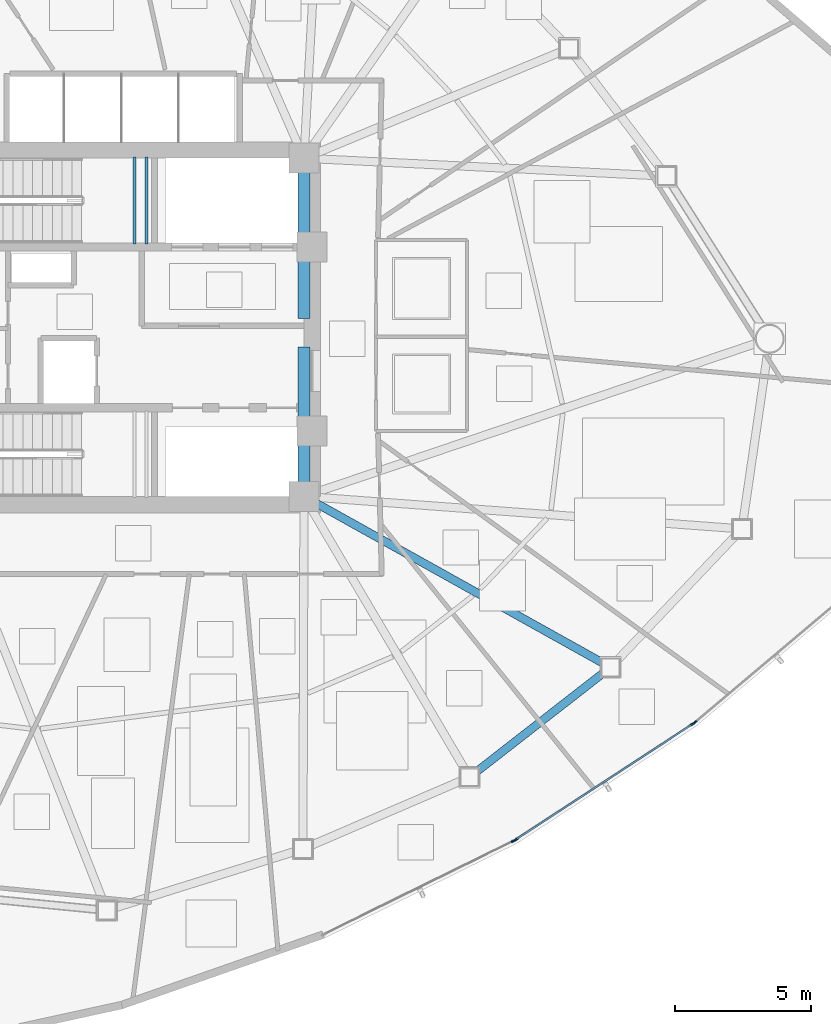
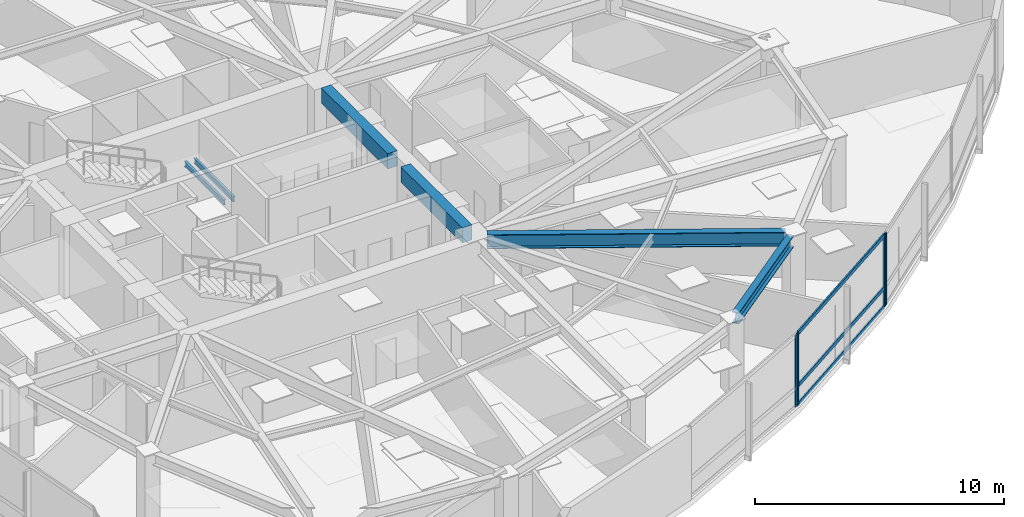
# One storey, part 5 of 18: 7 members, 6 beams, 3 elements without a shape of their own.
"""IFC4 building model written with IfcOpenShell, lengths in metres."""

import ifcopenshell
import ifcopenshell.guid

model = None  # the IFC model being written
_history = None  # IfcOwnerHistory: only IFC2X3 demands one
_inside = {}  # id of a spatial element -> (the spatial element, [elements in it])
_under = {}  # id of a project, library or spatial element -> (it, [spatial elements below it])
_declared = {}  # id of a project -> (the project, [libraries it declares])
_typed = {}  # id of a type object -> (the type object, [elements of that type])
_made_of = {}  # id of a material, layer set ... -> (it, [elements and type objects made of it])


def new_model(schema):
    """Start an empty IFC model of exactly this schema.

    Asked for "IFC4X3", IfcOpenShell would pick the latest addendum, in which some entities
    have other attributes; the version numbers below select the first issue.
    IFC2X3 requires an IfcOwnerHistory on every rooted entity: one is made here for all.
    """
    global model, _history
    if schema == "IFC4X3":
        model = ifcopenshell.file(schema_version=(4, 3, 0, 0))
    else:
        model = ifcopenshell.file(schema=schema)
    _inside.clear()
    _under.clear()
    _declared.clear()
    _typed.clear()
    _made_of.clear()
    _history = None
    if model.schema == "IFC2X3":
        org = make("IfcOrganization", Name="unknown")
        user = make(
            "IfcPersonAndOrganization",
            ThePerson=make("IfcPerson", FamilyName="unknown"),
            TheOrganization=org,
        )
        app = make(
            "IfcApplication",
            ApplicationDeveloper=org,
            Version="unknown",
            ApplicationFullName="unknown",
            ApplicationIdentifier="unknown",
        )
        _history = make(
            "IfcOwnerHistory",
            OwningUser=user,
            OwningApplication=app,
            ChangeAction="ADDED",
            CreationDate=0,
        )
    return model


def make(cls, **values):
    """One entity of the class cls with the attributes given. An attribute that is None is left unset."""
    return model.create_entity(
        cls, **{name: value for name, value in values.items() if value is not None}
    )


def rooted(cls, **values):
    """An entity with a GlobalId (a new one), such as an element, a storey or a relation."""
    return make(cls, GlobalId=ifcopenshell.guid.new(), OwnerHistory=_history, **values)


def si_unit(unit_type, name, prefix=None):
    """IfcSIUnit, for example si_unit("LENGTHUNIT", "METRE", prefix="MILLI")."""
    return make("IfcSIUnit", UnitType=unit_type, Prefix=prefix, Name=name)


def assignment(units):
    """IfcUnitAssignment: the units of a project."""
    return None if units is None else make("IfcUnitAssignment", Units=units)


def point(xyz):
    """IfcCartesianPoint."""
    return None if xyz is None else make("IfcCartesianPoint", Coordinates=xyz)


def direction(xyz):
    """IfcDirection."""
    return None if xyz is None else make("IfcDirection", DirectionRatios=xyz)


def frame(location, z_axis=None, x_axis=None):
    """IfcAxis2Placement3D, a coordinate frame: its origin and axes. An axis left out is left unset."""
    return make(
        "IfcAxis2Placement3D",
        Location=point(location),
        Axis=direction(z_axis),
        RefDirection=direction(x_axis),
    )


def frame_2d(location, x_axis=None):
    """IfcAxis2Placement2D, a coordinate frame in the plane: its origin and x axis."""
    return make(
        "IfcAxis2Placement2D", Location=point(location), RefDirection=direction(x_axis)
    )


def origin():
    """The frame at (0, 0, 0) with its axes left unset."""
    return frame((0.0, 0.0, 0.0))


def origin_2d():
    """The frame at (0, 0) in the plane with its x axis left unset."""
    return frame_2d((0.0, 0.0))


def place(relative_to, where):
    """IfcLocalPlacement: puts the frame where relative to a parent placement (None: the world)."""
    return make(
        "IfcLocalPlacement", PlacementRelTo=relative_to, RelativePlacement=where
    )


def context(
    kind, dimensions, precision=None, world=None, true_north=None, identifier=None
):
    """IfcGeometricRepresentationContext, for example the 3D "Model" context."""
    return make(
        "IfcGeometricRepresentationContext",
        ContextIdentifier=identifier,
        ContextType=kind,
        CoordinateSpaceDimension=dimensions,
        Precision=precision,
        WorldCoordinateSystem=world,
        TrueNorth=true_north,
    )


def subcontext(parent, identifier, kind, view, scale=None):
    """IfcGeometricRepresentationSubContext, for example "Body" below "Model"."""
    return make(
        "IfcGeometricRepresentationSubContext",
        ContextIdentifier=identifier,
        ContextType=kind,
        ParentContext=parent,
        TargetScale=scale,
        TargetView=view,
    )


def project(units=None, contexts=None):
    """IfcProject with its units and contexts."""
    return rooted(
        "IfcProject",
        Name="project",
        RepresentationContexts=contexts,
        UnitsInContext=assignment(units),
    )


def spatial(cls, under=None, at=None, **own):
    """A site, building, storey or space (cls), placed at a placement, below another one or the project."""
    s = rooted(cls, ObjectPlacement=at, **own)
    if under is not None:
        _under.setdefault(under.id(), (under, []))[1].append(s)
    return s


def profile(cls, at=None, kind="AREA", **sizes):
    """A parametric profile (cls). Its sizes go by their IFC names, for example OverallWidth=200.0."""
    return make(cls, ProfileType=kind, Position=at, **sizes)


def rectangle(**sizes):
    """IfcRectangleProfileDef."""
    return profile("IfcRectangleProfileDef", **sizes)


def hollow_rectangle(**sizes):
    """IfcRectangleHollowProfileDef."""
    return profile("IfcRectangleHollowProfileDef", **sizes)


def i_section(**sizes):
    """IfcIShapeProfileDef."""
    return profile("IfcIShapeProfileDef", **sizes)


def extrude(swept, where, along, depth):
    """IfcExtrudedAreaSolid: the profile swept, set in the frame where, extruded along a direction by depth."""
    return make(
        "IfcExtrudedAreaSolid",
        SweptArea=swept,
        Position=where,
        ExtrudedDirection=direction(along),
        Depth=depth,
    )


def shape(context_of_items, identifier, shape_type, items):
    """IfcShapeRepresentation: the items that make up one representation, for example the "Body"."""
    return make(
        "IfcShapeRepresentation",
        ContextOfItems=context_of_items,
        RepresentationIdentifier=identifier,
        RepresentationType=shape_type,
        Items=items,
    )


def source(mapping_origin, context_of_items, identifier, shape_type, items):
    """IfcRepresentationMap: a shape defined once, which mapped items show again and again."""
    return make(
        "IfcRepresentationMap",
        MappingOrigin=mapping_origin,
        MappedRepresentation=shape(context_of_items, identifier, shape_type, items),
    )


def transform(
    local_origin,
    x_axis=None,
    y_axis=None,
    z_axis=None,
    scale=None,
    scale2=None,
    scale3=None,
    uniform=True,
):
    """IfcCartesianTransformationOperator3D, or its non-uniform kind. x_axis, y_axis, z_axis: its Axis1, 2, 3."""
    if uniform:
        return make(
            "IfcCartesianTransformationOperator3D",
            Axis1=direction(x_axis),
            Axis2=direction(y_axis),
            LocalOrigin=point(local_origin),
            Scale=scale,
            Axis3=direction(z_axis),
        )
    return make(
        "IfcCartesianTransformationOperator3DnonUniform",
        Axis1=direction(x_axis),
        Axis2=direction(y_axis),
        LocalOrigin=point(local_origin),
        Scale=scale,
        Axis3=direction(z_axis),
        Scale2=scale2,
        Scale3=scale3,
    )


def mapped(mapping_source, mapping_target):
    """IfcMappedItem: shows the shape of a source again, moved by a transform."""
    return make(
        "IfcMappedItem", MappingSource=mapping_source, MappingTarget=mapping_target
    )


def material(Name=None, Category=None):
    """IfcMaterial."""
    return make("IfcMaterial", Name=Name, Category=Category)


def layer(
    of_material, thickness, ventilated=None, Name=None, Category=None, Priority=None
):
    """IfcMaterialLayer: one layer of a wall or slab, of a material (None: an air gap)."""
    return make(
        "IfcMaterialLayer",
        Material=of_material,
        LayerThickness=thickness,
        IsVentilated=ventilated,
        Name=Name,
        Category=Category,
        Priority=Priority,
    )


def layer_set(layers, Name=None):
    """IfcMaterialLayerSet."""
    return make("IfcMaterialLayerSet", MaterialLayers=layers, LayerSetName=Name)


def material_profile(
    of_material, cross_section, Name=None, Category=None, Priority=None
):
    """IfcMaterialProfile: a cross section and its material."""
    return make(
        "IfcMaterialProfile",
        Name=Name,
        Material=of_material,
        Profile=cross_section,
        Priority=Priority,
        Category=Category,
    )


def profile_set(profiles, Name=None, composite=None):
    """IfcMaterialProfileSet."""
    return make(
        "IfcMaterialProfileSet",
        Name=Name,
        MaterialProfiles=profiles,
        CompositeProfile=composite,
    )


def made_of(thing, what):
    """Note that an element or type object is made of a material, layer set ...; save() writes the relation."""
    if what is not None:
        _made_of.setdefault(what.id(), (what, []))[1].append(thing)
    return thing


def type_object(cls, material=None, **own):
    """A type object (cls), such as IfcWallType, which elements share."""
    return made_of(rooted(cls, **own), material)


def type_shapes(of_type, sources):
    """Give a type object the sources (RepresentationMaps) that its elements show as mapped items."""
    of_type.RepresentationMaps = sources


def element(
    cls,
    number,
    at=None,
    inside=None,
    cuts=None,
    type_object=None,
    material=None,
    context=None,
    identifier="Body",
    shape_type=None,
    held_by="IfcProductDefinitionShape",
    body=None,
    shapes=None,
    **own,
):
    """One element of the class cls, such as IfcWall. Its Tag is "e" and its number.

    at: its placement. inside: the storey or other place that contains it. cuts: it is an
    opening in that element (IfcRelVoidsElement). A single representation is given by context,
    identifier, shape_type and body (its items); several are given by shapes. held_by: the class
    of the entity that holds the representations. save() writes the other relations.
    """
    e = rooted(cls, Tag="e%d" % number, ObjectPlacement=at, **own)
    if body is not None:
        shapes = [shape(context, identifier, shape_type, body)]
    if shapes is not None:
        e.Representation = make(held_by, Representations=shapes)
    if inside is not None:
        _inside.setdefault(inside.id(), (inside, []))[1].append(e)
    if cuts is not None:
        rooted(
            "IfcRelVoidsElement", RelatingBuildingElement=cuts, RelatedOpeningElement=e
        )
    if type_object is not None:
        _typed.setdefault(type_object.id(), (type_object, []))[1].append(e)
    return made_of(e, material)


def aggregate(whole, parts):
    """IfcRelAggregates: a whole, such as a stair, and the parts it consists of."""
    return rooted("IfcRelAggregates", RelatingObject=whole, RelatedObjects=parts)


def save(model, path):
    """Write the relations noted so far, then the file.

    IfcRelAggregates (storeys below a building ...), IfcRelContainedInSpatialStructure (elements
    in a storey), IfcRelDefinesByType, IfcRelAssociatesMaterial and IfcRelDeclares: one each for
    every whole, place, type object, material and project.
    """
    for whole, parts in _under.values():
        aggregate(whole, parts)
    for where, things in _inside.values():
        rooted(
            "IfcRelContainedInSpatialStructure",
            RelatedElements=things,
            RelatingStructure=where,
        )
    for kind, things in _typed.values():
        rooted("IfcRelDefinesByType", RelatedObjects=things, RelatingType=kind)
    for what, things in _made_of.values():
        rooted("IfcRelAssociatesMaterial", RelatedObjects=things, RelatingMaterial=what)
    for by, libraries in _declared.values():
        rooted("IfcRelDeclares", RelatingContext=by, RelatedDefinitions=libraries)
    model.write(path)


model = new_model("IFC4")

# Units and contexts
model_context = context("Model", 3, precision=1e-05, world=origin(), true_north=direction((0.0, 1.0)))
body_context = subcontext(model_context, "Body", "Model", "MODEL_VIEW")
ifc_project = project(units=[si_unit("LENGTHUNIT", "METRE"), si_unit("AREAUNIT", "SQUARE_METRE"), si_unit("VOLUMEUNIT", "CUBIC_METRE"), si_unit("PLANEANGLEUNIT", "RADIAN"), si_unit("MASSUNIT", "GRAM", prefix="KILO")], contexts=[model_context])

# Site, building, storey
site_placement = place(None, origin())
site = spatial("IfcSite", under=ifc_project, at=site_placement, CompositionType="ELEMENT")
building_placement = place(site_placement, origin())
building = spatial("IfcBuilding", under=site, at=building_placement, Name="Tavelor Broadcast Tower", CompositionType="ELEMENT")
storey_placement = place(building_placement, frame((0.0, 0.0, 157.949951171875)))
storey = spatial("IfcBuildingStorey", under=building, at=storey_placement, Name="L37", CompositionType="ELEMENT", Elevation=157.949951171875)

# Beams
ifc_material_1 = material(Name="Concrete C40/50", Category="concrete")
ifc_material_profile_1 = material_profile(ifc_material_1, rectangle(XDim=0.449951171875, YDim=0.75, at=origin_2d()), Name="RC 450x750")
ifc_profile_set_1 = profile_set([ifc_material_profile_1], Name="Concrete C40/50")
beam_type_1 = type_object("IfcBeamType", Name="Basement Core Trim Beam 450x750", PredefinedType="BEAM", material=ifc_profile_set_1)
beam_1_placement = place(storey_placement, frame((56.60009765625, 45.327880859375, 3.175048828125), z_axis=(0.0, 1.0, 0.0), x_axis=(-1.0, 0.0, 0.0)))
element("IfcBeam", 1, at=beam_1_placement, inside=storey, type_object=beam_type_1, Name="L37 Core East-N Tie Girder", PredefinedType="BEAM", context=body_context, shape_type="SweptSolid", body=[
    extrude(rectangle(XDim=0.449951171875, YDim=0.75, at=origin_2d()), origin(), (0.0, 0.0, 1.0), 5.34423828125),
])
beam_2_placement = place(storey_placement, frame((56.60009765625, 39.327880859375, 3.175048828125), z_axis=(0.0, 1.0, 0.0), x_axis=(-1.0, 0.0, 0.0)))
element("IfcBeam", 2, at=beam_2_placement, inside=storey, type_object=beam_type_1, Name="L37 Core East-S Tie Girder", PredefinedType="BEAM", context=body_context, shape_type="SweptSolid", body=[
    extrude(rectangle(XDim=0.449951171875, YDim=0.75, at=origin_2d()), origin(), (0.0, 0.0, 1.0), 4.944091796875),
])
ifc_material_2 = material(Name="Steel S355", Category="steel")
ifc_material_profile_2 = material_profile(ifc_material_2, i_section(OverallWidth=0.300048828125, OverallDepth=0.550048828125, WebThickness=0.014892578125, FlangeThickness=0.029052734375, at=origin_2d()), Name="HEB 550")
ifc_profile_set_2 = profile_set([ifc_material_profile_2], Name="Steel S355")
beam_type_2 = type_object("IfcBeamType", Name="Perimeter Spandrel Beam T3 HEB 550", PredefinedType="SPANDREL", material=ifc_profile_set_2)
beam_3_placement = place(storey_placement, frame((62.934326171875, 28.709716796875, 3.275146484375), z_axis=(0.788970059341, 0.614431644257, 0.0), x_axis=(-0.614431644257, 0.788970059341, 0.0)))
element("IfcBeam", 3, at=beam_3_placement, inside=storey, type_object=beam_type_2, Name="L37 Framed-Tube Ring Spandrel 10", PredefinedType="SPANDREL", context=body_context, shape_type="SweptSolid", body=[
    extrude(i_section(OverallWidth=0.300048828125, OverallDepth=0.550048828125, WebThickness=0.014892578125, FlangeThickness=0.029052734375, at=origin_2d()), origin(), (0.0, 0.0, 1.0), 5.884765625),
])
ifc_material_profile_3 = material_profile(ifc_material_2, i_section(OverallWidth=0.300048828125, OverallDepth=0.68994140625, WebThickness=0.014404296875, FlangeThickness=0.027099609375, at=origin_2d()), Name="HEA 700")
ifc_profile_set_3 = profile_set([ifc_material_profile_3], Name="Steel S355")
beam_type_3 = type_object("IfcBeamType", Name="Radial Floor Girder T3 HEA 700", PredefinedType="BEAM", material=ifc_profile_set_3)
beam_4_placement = place(storey_placement, frame((57.061279296875, 38.54296875, 3.205078125), z_axis=(0.873405286678, -0.486994050481, 0.0), x_axis=(0.486994050481, 0.873405286678, 0.0)))
element("IfcBeam", 4, at=beam_4_placement, inside=storey, type_object=beam_type_3, Name="L37 Radial Primary Floor Girder 11", PredefinedType="BEAM", context=body_context, shape_type="SweptSolid", body=[
    extrude(i_section(OverallWidth=0.300048828125, OverallDepth=0.68994140625, WebThickness=0.014404296875, FlangeThickness=0.027099609375, at=origin_2d()), origin(), (0.0, 0.0, 1.0), 12.007568359375),
])
ifc_material_profile_4 = material_profile(ifc_material_2, i_section(OverallWidth=0.1201171875, OverallDepth=0.239990234375, WebThickness=0.006103515625, FlangeThickness=0.009765625, at=origin_2d()), Name="IPE 240")
ifc_profile_set_4 = profile_set([ifc_material_profile_4], Name="Steel S355")
beam_type_4 = type_object("IfcBeamType", Name="Stairwell Landing Support Trimmer Beam IPE240", PredefinedType="BEAM", material=ifc_profile_set_4)
for number, where, z_axis, x_axis, name in (
    (5, (50.385009765625, 48.06005859375, 1.610107421875), (0.0, 1.0, 0.0), (-1.0, 0.0, 0.0), "L37 Stair Landing Support Beam 107"),
    (6, (50.824951171875, 48.06005859375, 1.610107421875), (0.0, 1.0, 0.0), (-1.0, 0.0, 0.0), "L37 Stair Landing Support Beam 108"),
):
    element("IfcBeam", number, at=place(storey_placement, frame(where, z_axis=z_axis, x_axis=x_axis)), inside=storey, type_object=beam_type_4, Name=name, PredefinedType="BEAM", context=body_context, shape_type="SweptSolid", body=[
        extrude(i_section(OverallWidth=0.1201171875, OverallDepth=0.239990234375, WebThickness=0.006103515625, FlangeThickness=0.009765625, at=origin_2d()), origin(), (0.0, 0.0, 1.0), 3.179931640625),
    ])

# Curtain wall, member
ifc_material_3 = material(Name="Architectural Anodized Aluminium", Category="aluminium")
ifc_layer = layer(ifc_material_3, 0.18994140625)
ifc_layer_set = layer_set([ifc_layer], Name="Architectural Anodized Aluminium")
curtain_wall_type = type_object("IfcCurtainWallType", Name="Tower Mid-Zone Acoustic Curtain Wall CW03", PredefinedType="NOTDEFINED", material=ifc_layer_set)
curtain_wall_1_placement = place(storey_placement, origin())
curtain_wall_1 = element("IfcCurtainWall", 7, at=curtain_wall_1_placement, inside=storey, type_object=curtain_wall_type, Name="L37 Curtain Wall CW03 Run 389", PredefinedType="NOTDEFINED")
ifc_material_profile_5 = material_profile(ifc_material_3, hollow_rectangle(XDim=0.068115234375, YDim=0.18994140625, WallThickness=0.02197265625, at=origin_2d()), Name="RHS 68x190x22")
ifc_profile_set_5 = profile_set([ifc_material_profile_5], Name="Architectural Anodized Aluminium")
member_type_1 = type_object("IfcMemberType", Name="CW03 Extruded Aluminium Mullion 68x190", PredefinedType="MULLION", material=ifc_profile_set_5)
shared_shape_1 = source(origin(), body_context, "Body", "SweptSolid", [
    extrude(hollow_rectangle(XDim=0.068115234375, YDim=0.18994140625, WallThickness=0.02197265625, at=origin_2d()), origin(), (0.0, 0.0, 1.0), 3.550048828125),
])
type_shapes(member_type_1, [shared_shape_1])
member_1_placement = place(storey_placement, frame((64.28515625, 26.168212890625, 0.0), z_axis=(0.0, 0.0, 1.0), x_axis=(-0.441895904807, 0.897066334958, 0.0)))
member_1 = element("IfcMember", 8, at=member_1_placement, type_object=member_type_1, Name="CW03 mullion 2", PredefinedType="MULLION", context=body_context, shape_type="MappedRepresentation", body=[
    mapped(shared_shape_1, transform((0.0, 0.0, 0.0), scale=1.0)),
])
aggregate(curtain_wall_1, [member_1])

# Curtain wall, members
curtain_wall_2_placement = place(storey_placement, origin())
curtain_wall_2 = element("IfcCurtainWall", 9, at=curtain_wall_2_placement, inside=storey, type_object=curtain_wall_type, Name="L37 Curtain Wall CW03 Run 390", PredefinedType="NOTDEFINED")
member_2_placement = place(storey_placement, frame((64.3701171875, 26.216552734375, 0.0), z_axis=(0.0, 0.0, 1.0), x_axis=(-0.547211732887, 0.836994217059, 0.0)))
member_2 = element("IfcMember", 10, at=member_2_placement, type_object=member_type_1, Name="CW03 mullion 1", PredefinedType="MULLION", context=body_context, shape_type="MappedRepresentation", body=[
    mapped(shared_shape_1, transform((0.0, 0.0, 0.0), scale=1.0)),
])
member_3_placement = place(storey_placement, frame((70.845458984375, 30.4501953125, 0.0), z_axis=(0.0, 0.0, 1.0), x_axis=(-0.547211732887, 0.836994217059, 0.0)))
member_3 = element("IfcMember", 11, at=member_3_placement, type_object=member_type_1, Name="CW03 mullion 2", PredefinedType="MULLION", context=body_context, shape_type="MappedRepresentation", body=[
    mapped(shared_shape_1, transform((0.0, 0.0, 0.0), scale=1.0)),
])

# Curtain wall, member
curtain_wall_3_placement = place(storey_placement, origin())
curtain_wall_3 = element("IfcCurtainWall", 12, at=curtain_wall_3_placement, inside=storey, type_object=curtain_wall_type, Name="L37 Curtain Wall CW03 Run 391", PredefinedType="NOTDEFINED")
member_4_placement = place(storey_placement, frame((70.924072265625, 30.508544921875, 0.0), z_axis=(0.0, 0.0, 1.0), x_axis=(-0.644461996266, 0.76463634191, 0.0)))
member_4 = element("IfcMember", 13, at=member_4_placement, type_object=member_type_1, Name="CW03 mullion 1", PredefinedType="MULLION", context=body_context, shape_type="MappedRepresentation", body=[
    mapped(shared_shape_1, transform((0.0, 0.0, 0.0), scale=1.0)),
])
aggregate(curtain_wall_3, [member_4])

# Member
ifc_material_profile_6 = material_profile(ifc_material_3, hollow_rectangle(XDim=0.068115234375, YDim=0.18994140625, WallThickness=0.02197265625, at=origin_2d()), Name="RHS 68x190x22")
ifc_profile_set_6 = profile_set([ifc_material_profile_6], Name="Architectural Anodized Aluminium")
member_type_2 = type_object("IfcMemberType", Name="CW03 Extruded Aluminium Transom 68x190", PredefinedType="USERDEFINED", material=ifc_profile_set_6)
shared_shape_2 = source(origin(), body_context, "Body", "SweptSolid", [
    extrude(hollow_rectangle(XDim=0.068115234375, YDim=0.18994140625, WallThickness=0.02197265625, at=origin_2d()), origin(), (0.0, 0.0, 1.0), 7.66845703125),
])
type_shapes(member_type_2, [shared_shape_2])
member_5_placement = place(storey_placement, frame((64.398681640625, 26.235107421875, 0.033935546875), z_axis=(0.836993169235, 0.547213335596, 0.0), x_axis=(-0.547213335596, 0.836993169235, 0.0)))
member_5 = element("IfcMember", 14, at=member_5_placement, type_object=member_type_2, Name="CW03 transom 1.1", ObjectType="TRANSOM", PredefinedType="USERDEFINED", context=body_context, shape_type="MappedRepresentation", body=[
    mapped(shared_shape_2, transform((0.0, 0.0, 0.0), scale=1.0)),
])

member_6_placement = place(storey_placement, frame((64.398681640625, 26.235107421875, 0.949951171875), z_axis=(0.836993169235, 0.547213335596, 0.0), x_axis=(-0.547213335596, 0.836993169235, 0.0)))
member_6 = element("IfcMember", 15, at=member_6_placement, type_object=member_type_2, Name="CW03 transom 1.2", ObjectType="TRANSOM", PredefinedType="USERDEFINED", context=body_context, shape_type="MappedRepresentation", body=[
    mapped(shared_shape_2, transform((0.0, 0.0, 0.0), scale=1.0)),
])

member_7_placement = place(storey_placement, frame((64.398681640625, 26.235107421875, 3.51611328125), z_axis=(0.836993169235, 0.547213335596, 0.0), x_axis=(-0.547213335596, 0.836993169235, 0.0)))
member_7 = element("IfcMember", 16, at=member_7_placement, type_object=member_type_2, Name="CW03 transom 1.3", ObjectType="TRANSOM", PredefinedType="USERDEFINED", context=body_context, shape_type="MappedRepresentation", body=[
    mapped(shared_shape_2, transform((0.0, 0.0, 0.0), scale=1.0)),
])

aggregate(curtain_wall_2, [member_2, member_3, member_5, member_6, member_7])

save(model, "model.ifc")
